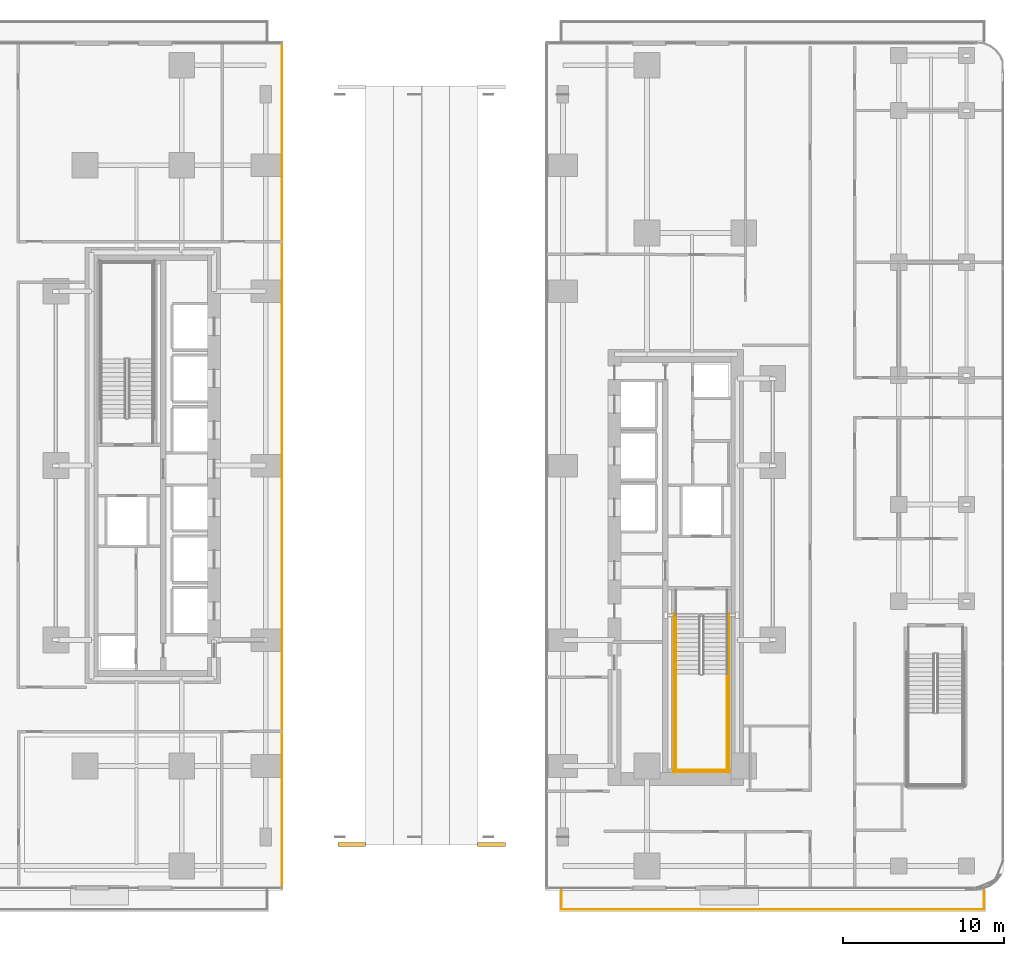
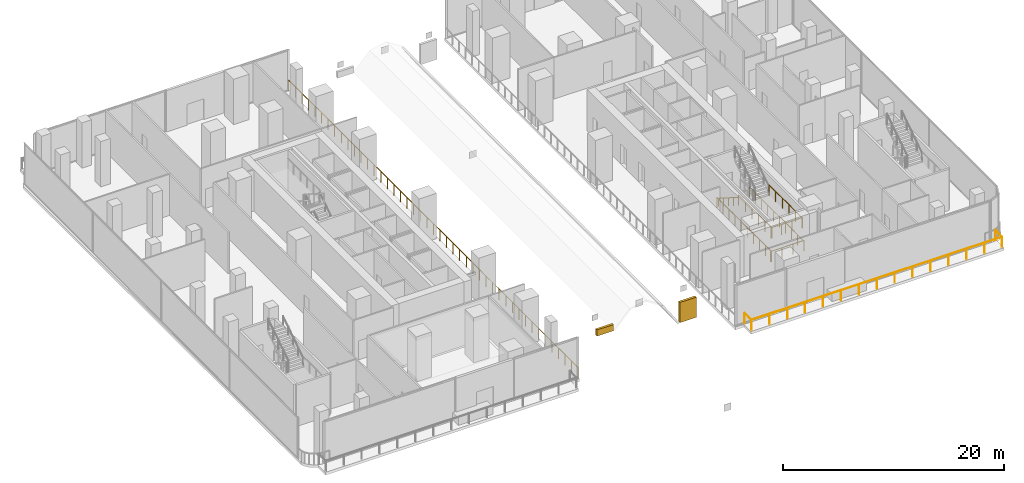
# One storey, part 25 of 32: 9 railings, 2 coverings.
"""IFC4 building model written with IfcOpenShell, lengths in metres."""

from ifc_helpers import new_model, si_unit, direction, frame, origin, origin_2d, place, context, subcontext, project, spatial, rectangle, circle, extrude, material, layer, layer_set, type_object, element, save


model = new_model("IFC4")

# Units and contexts
model_context = context("Model", 3, precision=1e-05, world=origin(), true_north=direction((0.0, 1.0)))
body_context = subcontext(model_context, "Body", "Model", "MODEL_VIEW")
ifc_project = project(units=[si_unit("LENGTHUNIT", "METRE"), si_unit("AREAUNIT", "SQUARE_METRE"), si_unit("VOLUMEUNIT", "CUBIC_METRE"), si_unit("PLANEANGLEUNIT", "RADIAN"), si_unit("MASSUNIT", "GRAM", prefix="KILO")], contexts=[model_context])

# Site, building, storey
site_placement = place(None, origin())
site = spatial("IfcSite", under=ifc_project, at=site_placement, CompositionType="ELEMENT")
building_placement = place(site_placement, origin())
building = spatial("IfcBuilding", under=site, at=building_placement, Name="Khairoan Windgate Tower", CompositionType="ELEMENT")
storey_placement = place(building_placement, frame((0.0, 0.0, 16.0)))
storey = spatial("IfcBuildingStorey", under=building, at=storey_placement, Name="L04", CompositionType="ELEMENT", Elevation=16.0)

# Railings
ifc_material_1 = material(Name="Anodised Bronze Aluminium 6063-T6", Category="aluminium")
railing_type_1 = type_object("IfcRailingType", Name="Aerodynamic Bronze-and-Glass Balustrade BAL-1200", PredefinedType="BALUSTRADE", material=ifc_material_1)
railing_1_placement = place(storey_placement, frame((9.1201171875, -26.25, 0.0)))
element("IfcRailing", 1, at=railing_1_placement, inside=storey, type_object=railing_type_1, Name="South-East Congress Sky Terrace Balustrade", PredefinedType="BALUSTRADE", context=body_context, shape_type="SweptSolid", body=[
    extrude(circle(Radius=0.02392578125, at=origin_2d()), frame((0.0, 0.0, 1.17578125), z_axis=(0.0, -1.0, 0.0), x_axis=(1.0, 0.0, 0.0)), (0.0, 0.0, 1.0), 1.22998046875),
    extrude(circle(Radius=0.02392578125, at=origin_2d()), frame((0.0, -1.22998046875, 1.17578125), z_axis=(1.0, 0.0, 0.0), x_axis=(0.0, 1.0, 0.0)), (0.0, 0.0, 1.0), 26.159912109375),
    extrude(circle(Radius=0.02392578125, at=origin_2d()), frame((26.159912109375, -1.22998046875, 1.17578125), z_axis=(0.0, 1.0, 0.0), x_axis=(-1.0, 0.0, 0.0)), (0.0, 0.0, 1.0), 1.22998046875),
    extrude(circle(Radius=0.02099609375, at=origin_2d()), origin(), (0.0, 0.0, 1.0), 1.15185546875),
    extrude(circle(Radius=0.02099609375, at=origin_2d()), frame((0.0, -1.22998046875, 0.0)), (0.0, 0.0, 1.0), 1.15185546875),
    extrude(circle(Radius=0.02099609375, at=origin_2d()), frame((1.86865234375, -1.22998046875, 0.0)), (0.0, 0.0, 1.0), 1.15185546875),
    extrude(circle(Radius=0.02099609375, at=origin_2d()), frame((3.737060546875, -1.22998046875, 0.0)), (0.0, 0.0, 1.0), 1.15185546875),
    extrude(circle(Radius=0.02099609375, at=origin_2d()), frame((5.605712890625, -1.22998046875, 0.0)), (0.0, 0.0, 1.0), 1.15185546875),
    extrude(circle(Radius=0.02099609375, at=origin_2d()), frame((7.474365234375, -1.22998046875, 0.0)), (0.0, 0.0, 1.0), 1.15185546875),
    extrude(circle(Radius=0.02099609375, at=origin_2d()), frame((9.3427734375, -1.22998046875, 0.0)), (0.0, 0.0, 1.0), 1.15185546875),
    extrude(circle(Radius=0.02099609375, at=origin_2d()), frame((11.21142578125, -1.22998046875, 0.0)), (0.0, 0.0, 1.0), 1.15185546875),
    extrude(circle(Radius=0.02099609375, at=origin_2d()), frame((13.080078125, -1.22998046875, 0.0)), (0.0, 0.0, 1.0), 1.15185546875),
    extrude(circle(Radius=0.02099609375, at=origin_2d()), frame((14.948486328125, -1.22998046875, 0.0)), (0.0, 0.0, 1.0), 1.15185546875),
    extrude(circle(Radius=0.02099609375, at=origin_2d()), frame((16.817138671875, -1.22998046875, 0.0)), (0.0, 0.0, 1.0), 1.15185546875),
    extrude(circle(Radius=0.02099609375, at=origin_2d()), frame((18.685546875, -1.22998046875, 0.0)), (0.0, 0.0, 1.0), 1.15185546875),
    extrude(circle(Radius=0.02099609375, at=origin_2d()), frame((20.55419921875, -1.22998046875, 0.0)), (0.0, 0.0, 1.0), 1.15185546875),
    extrude(circle(Radius=0.02099609375, at=origin_2d()), frame((22.4228515625, -1.22998046875, 0.0)), (0.0, 0.0, 1.0), 1.15185546875),
    extrude(circle(Radius=0.02099609375, at=origin_2d()), frame((24.291259765625, -1.22998046875, 0.0)), (0.0, 0.0, 1.0), 1.15185546875),
    extrude(circle(Radius=0.02099609375, at=origin_2d()), frame((26.159912109375, -1.22998046875, 0.0)), (0.0, 0.0, 1.0), 1.15185546875),
    extrude(circle(Radius=0.02099609375, at=origin_2d()), frame((26.159912109375, 0.0, 0.0)), (0.0, 0.0, 1.0), 1.15185546875),
])
railing_2_placement = place(storey_placement, frame((-8.199951171875, 26.159912109375, 0.0)))
element("IfcRailing", 2, at=railing_2_placement, inside=storey, type_object=railing_type_1, Name="L04 Arch Void Edge Guardrail 1", PredefinedType="BALUSTRADE", context=body_context, shape_type="SweptSolid", body=[
    extrude(circle(Radius=0.02392578125, at=origin_2d()), frame((0.0, 0.0, 1.17578125), z_axis=(0.0, -1.0, 0.0), x_axis=(1.0, 0.0, 0.0)), (0.0, 0.0, 1.0), 52.31982421875),
    extrude(circle(Radius=0.02099609375, at=origin_2d()), origin(), (0.0, 0.0, 1.0), 1.15185546875),
    extrude(circle(Radius=0.02099609375, at=origin_2d()), frame((0.0, -1.18896484375, 0.0)), (0.0, 0.0, 1.0), 1.15185546875),
    extrude(circle(Radius=0.02099609375, at=origin_2d()), frame((0.0, -2.378173828125, 0.0)), (0.0, 0.0, 1.0), 1.15185546875),
    extrude(circle(Radius=0.02099609375, at=origin_2d()), frame((0.0, -3.567138671875, 0.0)), (0.0, 0.0, 1.0), 1.15185546875),
    extrude(circle(Radius=0.02099609375, at=origin_2d()), frame((0.0, -4.75634765625, 0.0)), (0.0, 0.0, 1.0), 1.15185546875),
    extrude(circle(Radius=0.02099609375, at=origin_2d()), frame((0.0, -5.9453125, 0.0)), (0.0, 0.0, 1.0), 1.15185546875),
    extrude(circle(Radius=0.02099609375, at=origin_2d()), frame((0.0, -7.134521484375, 0.0)), (0.0, 0.0, 1.0), 1.15185546875),
    extrude(circle(Radius=0.02099609375, at=origin_2d()), frame((0.0, -8.32373046875, 0.0)), (0.0, 0.0, 1.0), 1.15185546875),
    extrude(circle(Radius=0.02099609375, at=origin_2d()), frame((0.0, -9.5126953125, 0.0)), (0.0, 0.0, 1.0), 1.15185546875),
    extrude(circle(Radius=0.02099609375, at=origin_2d()), frame((0.0, -10.70166015625, 0.0)), (0.0, 0.0, 1.0), 1.15185546875),
    extrude(circle(Radius=0.02099609375, at=origin_2d()), frame((0.0, -11.890869140625, 0.0)), (0.0, 0.0, 1.0), 1.15185546875),
    extrude(circle(Radius=0.02099609375, at=origin_2d()), frame((0.0, -13.080078125, 0.0)), (0.0, 0.0, 1.0), 1.15185546875),
    extrude(circle(Radius=0.02099609375, at=origin_2d()), frame((0.0, -14.26904296875, 0.0)), (0.0, 0.0, 1.0), 1.15185546875),
    extrude(circle(Radius=0.02099609375, at=origin_2d()), frame((0.0, -15.4580078125, 0.0)), (0.0, 0.0, 1.0), 1.15185546875),
    extrude(circle(Radius=0.02099609375, at=origin_2d()), frame((0.0, -16.647216796875, 0.0)), (0.0, 0.0, 1.0), 1.15185546875),
    extrude(circle(Radius=0.02099609375, at=origin_2d()), frame((0.0, -17.83642578125, 0.0)), (0.0, 0.0, 1.0), 1.15185546875),
    extrude(circle(Radius=0.02099609375, at=origin_2d()), frame((0.0, -19.025390625, 0.0)), (0.0, 0.0, 1.0), 1.15185546875),
    extrude(circle(Radius=0.02099609375, at=origin_2d()), frame((0.0, -20.21435546875, 0.0)), (0.0, 0.0, 1.0), 1.15185546875),
    extrude(circle(Radius=0.02099609375, at=origin_2d()), frame((0.0, -21.403564453125, 0.0)), (0.0, 0.0, 1.0), 1.15185546875),
    extrude(circle(Radius=0.02099609375, at=origin_2d()), frame((0.0, -22.5927734375, 0.0)), (0.0, 0.0, 1.0), 1.15185546875),
    extrude(circle(Radius=0.02099609375, at=origin_2d()), frame((0.0, -23.78173828125, 0.0)), (0.0, 0.0, 1.0), 1.15185546875),
    extrude(circle(Radius=0.02099609375, at=origin_2d()), frame((0.0, -24.970703125, 0.0)), (0.0, 0.0, 1.0), 1.15185546875),
    extrude(circle(Radius=0.02099609375, at=origin_2d()), frame((0.0, -26.159912109375, 0.0)), (0.0, 0.0, 1.0), 1.15185546875),
    extrude(circle(Radius=0.02099609375, at=origin_2d()), frame((0.0, -27.34912109375, 0.0)), (0.0, 0.0, 1.0), 1.15185546875),
    extrude(circle(Radius=0.02099609375, at=origin_2d()), frame((0.0, -28.5380859375, 0.0)), (0.0, 0.0, 1.0), 1.15185546875),
    extrude(circle(Radius=0.02099609375, at=origin_2d()), frame((0.0, -29.727294921875, 0.0)), (0.0, 0.0, 1.0), 1.15185546875),
    extrude(circle(Radius=0.02099609375, at=origin_2d()), frame((0.0, -30.916259765625, 0.0)), (0.0, 0.0, 1.0), 1.15185546875),
    extrude(circle(Radius=0.02099609375, at=origin_2d()), frame((0.0, -32.10546875, 0.0)), (0.0, 0.0, 1.0), 1.15185546875),
    extrude(circle(Radius=0.02099609375, at=origin_2d()), frame((0.0, -33.29443359375, 0.0)), (0.0, 0.0, 1.0), 1.15185546875),
    extrude(circle(Radius=0.02099609375, at=origin_2d()), frame((0.0, -34.4833984375, 0.0)), (0.0, 0.0, 1.0), 1.15185546875),
    extrude(circle(Radius=0.02099609375, at=origin_2d()), frame((0.0, -35.672607421875, 0.0)), (0.0, 0.0, 1.0), 1.15185546875),
    extrude(circle(Radius=0.02099609375, at=origin_2d()), frame((0.0, -36.86181640625, 0.0)), (0.0, 0.0, 1.0), 1.15185546875),
    extrude(circle(Radius=0.02099609375, at=origin_2d()), frame((0.0, -38.05078125, 0.0)), (0.0, 0.0, 1.0), 1.15185546875),
    extrude(circle(Radius=0.02099609375, at=origin_2d()), frame((0.0, -39.23974609375, 0.0)), (0.0, 0.0, 1.0), 1.15185546875),
    extrude(circle(Radius=0.02099609375, at=origin_2d()), frame((0.0, -40.428955078125, 0.0)), (0.0, 0.0, 1.0), 1.15185546875),
    extrude(circle(Radius=0.02099609375, at=origin_2d()), frame((0.0, -41.6181640625, 0.0)), (0.0, 0.0, 1.0), 1.15185546875),
    extrude(circle(Radius=0.02099609375, at=origin_2d()), frame((0.0, -42.80712890625, 0.0)), (0.0, 0.0, 1.0), 1.15185546875),
    extrude(circle(Radius=0.02099609375, at=origin_2d()), frame((0.0, -43.99609375, 0.0)), (0.0, 0.0, 1.0), 1.15185546875),
    extrude(circle(Radius=0.02099609375, at=origin_2d()), frame((0.0, -45.185302734375, 0.0)), (0.0, 0.0, 1.0), 1.15185546875),
    extrude(circle(Radius=0.02099609375, at=origin_2d()), frame((0.0, -46.37451171875, 0.0)), (0.0, 0.0, 1.0), 1.15185546875),
    extrude(circle(Radius=0.02099609375, at=origin_2d()), frame((0.0, -47.5634765625, 0.0)), (0.0, 0.0, 1.0), 1.15185546875),
    extrude(circle(Radius=0.02099609375, at=origin_2d()), frame((0.0, -48.75244140625, 0.0)), (0.0, 0.0, 1.0), 1.15185546875),
    extrude(circle(Radius=0.02099609375, at=origin_2d()), frame((0.0, -49.941650390625, 0.0)), (0.0, 0.0, 1.0), 1.15185546875),
    extrude(circle(Radius=0.02099609375, at=origin_2d()), frame((0.0, -51.130859375, 0.0)), (0.0, 0.0, 1.0), 1.15185546875),
    extrude(circle(Radius=0.02099609375, at=origin_2d()), frame((0.0, -52.31982421875, 0.0)), (0.0, 0.0, 1.0), 1.15185546875),
])

# Coverings
ifc_material_2 = material(Name="Anodised Bronze Aluminium 6063-T6", Category="aluminium")
ifc_layer = layer(ifc_material_2, 0.179931640625, Name="Anodised Bronze Aluminium 6063-T6")
ifc_layer_set = layer_set([ifc_layer], Name="Anodised Bronze Aluminium 6063-T6")
covering_type = type_object("IfcCoveringType", Name="Sculpted Parabolic Arch and Crown Cladding", PredefinedType="CLADDING", material=ifc_layer_set)
covering_1_placement = place(storey_placement, frame((-3.875, -23.449951171875, 1.8564453125), z_axis=(0.0, 0.0, 1.0), x_axis=(1.0, 0.0, 0.0)))
element("IfcCovering", 3, at=covering_1_placement, inside=storey, type_object=covering_type, Name="Upper Parabolic Arch Tympanum Cladding S-03", PredefinedType="CLADDING", context=body_context, shape_type="SweptSolid", body=[
    extrude(rectangle(XDim=1.72998046875, YDim=0.239990234375, at=origin_2d()), origin(), (0.0, 0.0, 1.0), 0.68310546875),
])
covering_2_placement = place(storey_placement, frame((4.77490234375, -23.449951171875, 0.314453125), z_axis=(0.0, 0.0, 1.0), x_axis=(1.0, 0.0, 0.0)))
element("IfcCovering", 4, at=covering_2_placement, inside=storey, type_object=covering_type, Name="Upper Parabolic Arch Tympanum Cladding S-08", PredefinedType="CLADDING", context=body_context, shape_type="SweptSolid", body=[
    extrude(rectangle(XDim=1.72998046875, YDim=0.239990234375, at=origin_2d()), origin(), (0.0, 0.0, 1.0), 2.22607421875),
])

# Railings
ifc_material_3 = material(Name="Anodised Bronze Aluminium 6063-T6", Category="aluminium")
railing_type_2 = type_object("IfcRailingType", Name="Stair Wall Handrail SHR-900", PredefinedType="HANDRAIL", material=ifc_material_3)
railing_3_placement = place(storey_placement, frame((16.199951171875, -9.260009765625, 0.178466796875)))
element("IfcRailing", 5, at=railing_3_placement, inside=storey, type_object=railing_type_2, Name="L04 ST1 stair handrail 1", PredefinedType="HANDRAIL", context=body_context, shape_type="SweptSolid", body=[
    extrude(circle(Radius=0.02392578125, at=origin_2d()), frame((0.0, 0.0, 0.8759765625), z_axis=(0.0, -0.843111507901, 0.53773877045), x_axis=(1.0, 0.0, 0.0)), (0.0, 0.0, 1.0), 4.317138671875),
    extrude(circle(Radius=0.02099609375, at=origin_2d()), origin(), (0.0, 0.0, 1.0), 0.851806640625),
    extrude(circle(Radius=0.02099609375, at=origin_2d()), frame((0.0, -0.909912109375, 0.580322265625)), (0.0, 0.0, 1.0), 0.851806640625),
    extrude(circle(Radius=0.02099609375, at=origin_2d()), frame((0.0, -1.81982421875, 1.16064453125)), (0.0, 0.0, 1.0), 0.851806640625),
    extrude(circle(Radius=0.02099609375, at=origin_2d()), frame((0.0, -2.72998046875, 1.7412109375)), (0.0, 0.0, 1.0), 0.851806640625),
    extrude(circle(Radius=0.02099609375, at=origin_2d()), frame((0.0, -3.639892578125, 2.321533203125)), (0.0, 0.0, 1.0), 0.851806640625),
])
ifc_material_4 = material(Name="Steel S355", Category="steel")
railing_type_3 = type_object("IfcRailingType", Name="Stairwell Safety Guardrail SGR-1150", PredefinedType="GUARDRAIL", material=ifc_material_4)
for number, where, name in (
    (6, (16.199951171875, -12.89990234375, 2.5), "L04 ST1 stair guard 3"),
    (7, (19.3701171875, -12.89990234375, 2.5), "L04 ST1 stair guard 4"),
):
    element("IfcRailing", number, at=place(storey_placement, frame(where)), inside=storey, type_object=railing_type_3, Name=name, PredefinedType="GUARDRAIL", context=body_context, shape_type="SweptSolid", body=[
        extrude(circle(Radius=0.02392578125, at=origin_2d()), frame((0.0, 0.0, 1.1259765625), z_axis=(0.0, -1.0, 0.0), x_axis=(1.0, 0.0, 0.0)), (0.0, 0.0, 1.0), 6.0),
        extrude(circle(Radius=0.02099609375, at=origin_2d()), origin(), (0.0, 0.0, 1.0), 1.101806640625),
        extrude(circle(Radius=0.02099609375, at=origin_2d()), frame((0.0, -1.199951171875, 0.0)), (0.0, 0.0, 1.0), 1.101806640625),
        extrude(circle(Radius=0.02099609375, at=origin_2d()), frame((0.0, -2.39990234375, 0.0)), (0.0, 0.0, 1.0), 1.101806640625),
        extrude(circle(Radius=0.02099609375, at=origin_2d()), frame((0.0, -3.60009765625, 0.0)), (0.0, 0.0, 1.0), 1.101806640625),
        extrude(circle(Radius=0.02099609375, at=origin_2d()), frame((0.0, -4.800048828125, 0.0)), (0.0, 0.0, 1.0), 1.101806640625),
        extrude(circle(Radius=0.02099609375, at=origin_2d()), frame((0.0, -6.0, 0.0)), (0.0, 0.0, 1.0), 1.101806640625),
    ])
railing_4_placement = place(storey_placement, frame((16.14990234375, -18.85009765625, 2.5)))
element("IfcRailing", 8, at=railing_4_placement, inside=storey, type_object=railing_type_3, Name="L04 ST1 stair guard 5", PredefinedType="GUARDRAIL", context=body_context, shape_type="SweptSolid", body=[
    extrude(circle(Radius=0.02392578125, at=origin_2d()), frame((0.0, 0.0, 1.1259765625), z_axis=(1.0, 0.0, 0.0), x_axis=(0.0, 1.0, 0.0)), (0.0, 0.0, 1.0), 3.27001953125),
    extrude(circle(Radius=0.02099609375, at=origin_2d()), origin(), (0.0, 0.0, 1.0), 1.101806640625),
    extrude(circle(Radius=0.02099609375, at=origin_2d()), frame((1.090087890625, 0.0, 0.0)), (0.0, 0.0, 1.0), 1.101806640625),
    extrude(circle(Radius=0.02099609375, at=origin_2d()), frame((2.179931640625, 0.0, 0.0)), (0.0, 0.0, 1.0), 1.101806640625),
    extrude(circle(Radius=0.02099609375, at=origin_2d()), frame((3.27001953125, 0.0, 0.0)), (0.0, 0.0, 1.0), 1.101806640625),
])
for number, where, name in (
    (9, (16.10009765625, -9.159912109375, 0.0), "L04 ST1 stair guard 10"),
    (10, (19.469970703125, -9.159912109375, 0.0), "L04 ST1 stair guard 11"),
):
    element("IfcRailing", number, at=place(storey_placement, frame(where)), inside=storey, type_object=railing_type_3, Name=name, PredefinedType="GUARDRAIL", context=body_context, shape_type="SweptSolid", body=[
        extrude(circle(Radius=0.02392578125, at=origin_2d()), frame((0.0, 0.0, 1.1259765625), z_axis=(0.0, -1.0, 0.0), x_axis=(1.0, 0.0, 0.0)), (0.0, 0.0, 1.0), 9.840087890625),
        extrude(circle(Radius=0.02099609375, at=origin_2d()), origin(), (0.0, 0.0, 1.0), 1.101806640625),
        extrude(circle(Radius=0.02099609375, at=origin_2d()), frame((0.0, -1.09326171875, 0.0)), (0.0, 0.0, 1.0), 1.101806640625),
        extrude(circle(Radius=0.02099609375, at=origin_2d()), frame((0.0, -2.186767578125, 0.0)), (0.0, 0.0, 1.0), 1.101806640625),
        extrude(circle(Radius=0.02099609375, at=origin_2d()), frame((0.0, -3.280029296875, 0.0)), (0.0, 0.0, 1.0), 1.101806640625),
        extrude(circle(Radius=0.02099609375, at=origin_2d()), frame((0.0, -4.373291015625, 0.0)), (0.0, 0.0, 1.0), 1.101806640625),
        extrude(circle(Radius=0.02099609375, at=origin_2d()), frame((0.0, -5.466796875, 0.0)), (0.0, 0.0, 1.0), 1.101806640625),
        extrude(circle(Radius=0.02099609375, at=origin_2d()), frame((0.0, -6.56005859375, 0.0)), (0.0, 0.0, 1.0), 1.101806640625),
        extrude(circle(Radius=0.02099609375, at=origin_2d()), frame((0.0, -7.6533203125, 0.0)), (0.0, 0.0, 1.0), 1.101806640625),
        extrude(circle(Radius=0.02099609375, at=origin_2d()), frame((0.0, -8.746826171875, 0.0)), (0.0, 0.0, 1.0), 1.101806640625),
        extrude(circle(Radius=0.02099609375, at=origin_2d()), frame((0.0, -9.840087890625, 0.0)), (0.0, 0.0, 1.0), 1.101806640625),
    ])
railing_5_placement = place(storey_placement, frame((16.050048828125, -18.949951171875, 0.0)))
element("IfcRailing", 11, at=railing_5_placement, inside=storey, type_object=railing_type_3, Name="L04 ST1 stair guard 12", PredefinedType="GUARDRAIL", context=body_context, shape_type="SweptSolid", body=[
    extrude(circle(Radius=0.02392578125, at=origin_2d()), frame((0.0, 0.0, 1.1259765625), z_axis=(1.0, 0.0, 0.0), x_axis=(0.0, 1.0, 0.0)), (0.0, 0.0, 1.0), 3.469970703125),
    extrude(circle(Radius=0.02099609375, at=origin_2d()), origin(), (0.0, 0.0, 1.0), 1.101806640625),
    extrude(circle(Radius=0.02099609375, at=origin_2d()), frame((1.15673828125, 0.0, 0.0)), (0.0, 0.0, 1.0), 1.101806640625),
    extrude(circle(Radius=0.02099609375, at=origin_2d()), frame((2.313232421875, 0.0, 0.0)), (0.0, 0.0, 1.0), 1.101806640625),
    extrude(circle(Radius=0.02099609375, at=origin_2d()), frame((3.469970703125, 0.0, 0.0)), (0.0, 0.0, 1.0), 1.101806640625),
])

save(model, "model.ifc")
